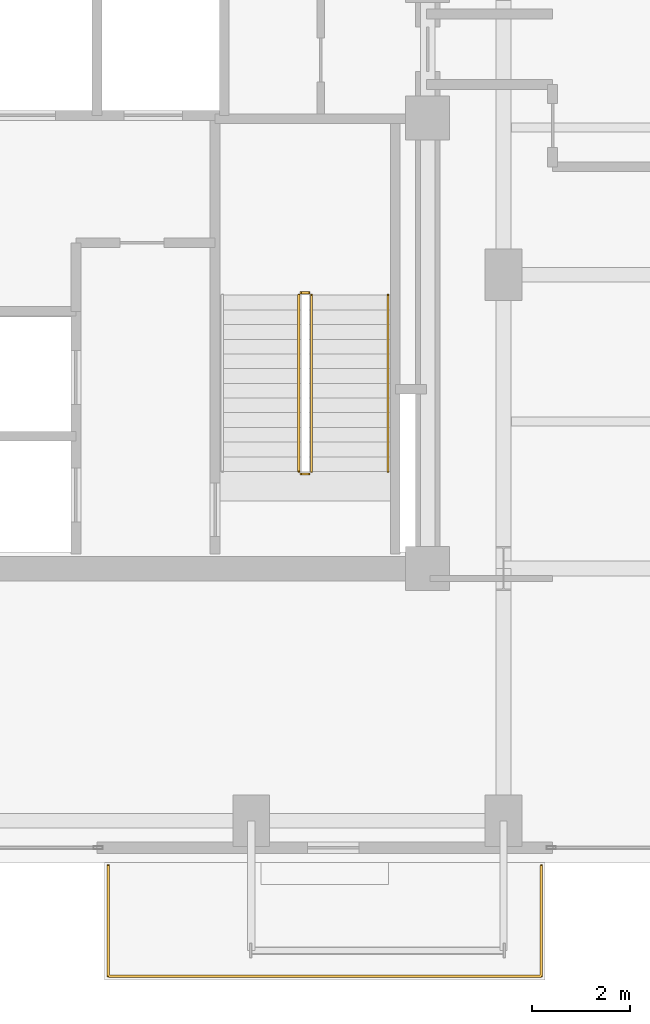
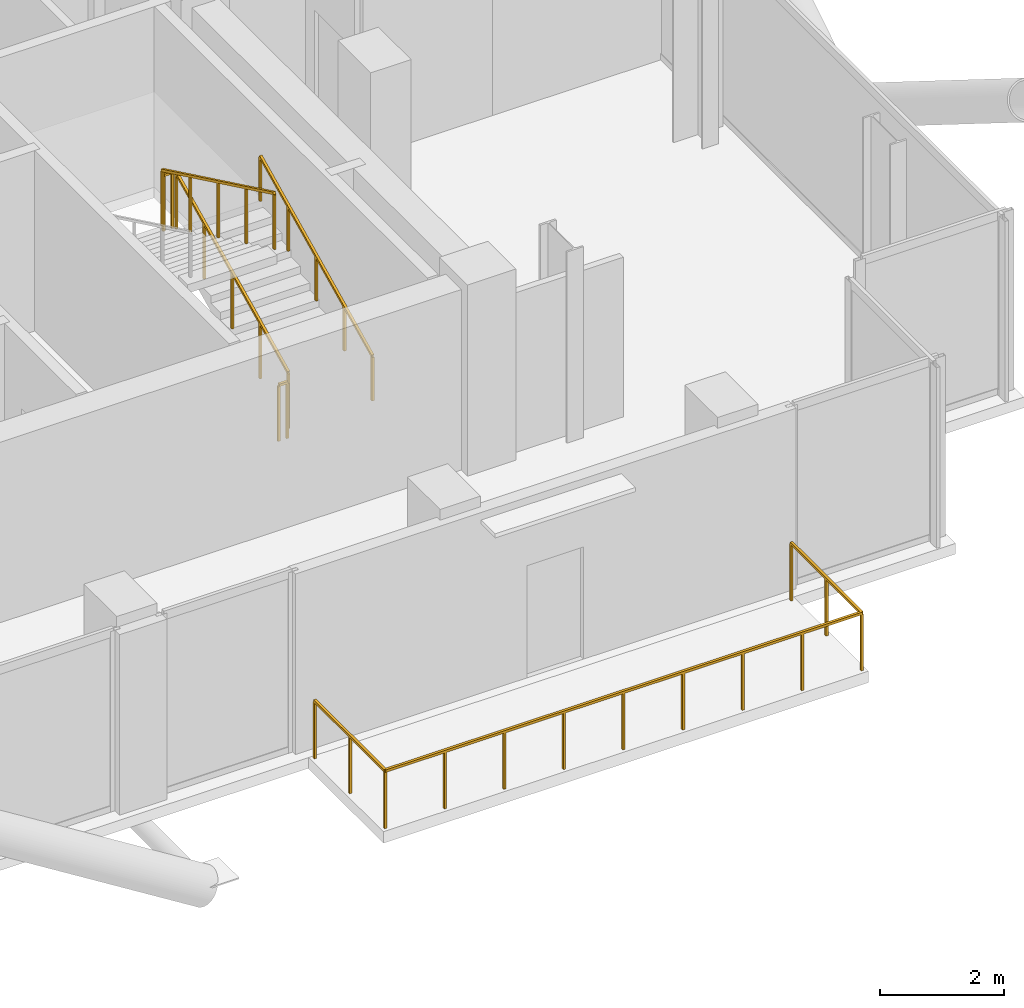
# One storey, part 25 of 25: 6 railings.
"""IFC4 building model written with IfcOpenShell, lengths in metres."""

from ifc_helpers import new_model, si_unit, direction, frame, origin, origin_2d, place, context, subcontext, project, spatial, rectangle, extrude, material, type_object, element, save


model = new_model("IFC4")

# Units and contexts
model_context = context("Model", 3, precision=1e-05, world=origin(), true_north=direction((0.0, 1.0)))
body_context = subcontext(model_context, "Body", "Model", "MODEL_VIEW")
ifc_project = project(units=[si_unit("LENGTHUNIT", "METRE"), si_unit("AREAUNIT", "SQUARE_METRE"), si_unit("VOLUMEUNIT", "CUBIC_METRE"), si_unit("PLANEANGLEUNIT", "RADIAN"), si_unit("MASSUNIT", "GRAM", prefix="KILO"), si_unit("THERMODYNAMICTEMPERATUREUNIT", "KELVIN"), si_unit("POWERUNIT", "WATT")], contexts=[model_context])

# Site, building, storey
site_placement = place(None, origin())
site = spatial("IfcSite", under=ifc_project, at=site_placement, CompositionType="ELEMENT")
building_placement = place(site_placement, origin())
building = spatial("IfcBuilding", under=site, at=building_placement, Name="Svarakhadi Broadcast Tower", CompositionType="ELEMENT")
storey_placement = place(building_placement, frame((0.0, 0.0, 216.14990234375)))
storey = spatial("IfcBuildingStorey", under=building, at=storey_placement, Name="L53", CompositionType="ELEMENT", Elevation=216.14990234375)

# Railings
ifc_material_1 = material(Name="Laminated Structural SentryGlas Balustrade 25.5 mm", Category="glass")
railing_type_1 = type_object("IfcRailingType", Name="Guard_Balcony_GR01", PredefinedType="BALUSTRADE", material=ifc_material_1)
railing_1_placement = place(storey_placement, frame((27.080078125, -0.06005859375, 0.0)))
element("IfcRailing", 1, at=railing_1_placement, inside=storey, type_object=railing_type_1, Name="L53 South Tree Balcony Guard GR-05", PredefinedType="BALUSTRADE", context=body_context, shape_type="SweptSolid", body=[
    extrude(rectangle(XDim=0.048095703125, YDim=0.048095703125, at=origin_2d()), frame((0.0, 0.0, 1.1259765625), z_axis=(0.0, -1.0, 0.0), x_axis=(1.0, 0.0, 0.0)), (0.0, 0.0, 1.0), 2.260009765625),
    extrude(rectangle(XDim=0.048095703125, YDim=0.048095703125, at=origin_2d()), frame((0.0, -2.260009765625, 1.1259765625), z_axis=(1.0, 0.0, 0.0), x_axis=(0.0, 1.0, 0.0)), (0.0, 0.0, 1.0), 8.83984375),
    extrude(rectangle(XDim=0.048095703125, YDim=0.048095703125, at=origin_2d()), frame((8.83984375, -2.260009765625, 1.1259765625), z_axis=(0.0, 1.0, 0.0), x_axis=(-1.0, 0.0, 0.0)), (0.0, 0.0, 1.0), 2.260009765625),
    extrude(rectangle(XDim=0.0419921875, YDim=0.0419921875, at=origin_2d()), origin(), (0.0, 0.0, 1.0), 1.101806640625),
    extrude(rectangle(XDim=0.0419921875, YDim=0.0419921875, at=origin_2d()), frame((0.0, -1.1298828125, 0.0)), (0.0, 0.0, 1.0), 1.101806640625),
    extrude(rectangle(XDim=0.0419921875, YDim=0.0419921875, at=origin_2d()), frame((0.0, -2.260009765625, 0.0)), (0.0, 0.0, 1.0), 1.101806640625),
    extrude(rectangle(XDim=0.0419921875, YDim=0.0419921875, at=origin_2d()), frame((1.10498046875, -2.260009765625, 0.0)), (0.0, 0.0, 1.0), 1.101806640625),
    extrude(rectangle(XDim=0.0419921875, YDim=0.0419921875, at=origin_2d()), frame((2.2099609375, -2.260009765625, 0.0)), (0.0, 0.0, 1.0), 1.101806640625),
    extrude(rectangle(XDim=0.0419921875, YDim=0.0419921875, at=origin_2d()), frame((3.31494140625, -2.260009765625, 0.0)), (0.0, 0.0, 1.0), 1.101806640625),
    extrude(rectangle(XDim=0.0419921875, YDim=0.0419921875, at=origin_2d()), frame((4.419921875, -2.260009765625, 0.0)), (0.0, 0.0, 1.0), 1.101806640625),
    extrude(rectangle(XDim=0.0419921875, YDim=0.0419921875, at=origin_2d()), frame((5.52490234375, -2.260009765625, 0.0)), (0.0, 0.0, 1.0), 1.101806640625),
    extrude(rectangle(XDim=0.0419921875, YDim=0.0419921875, at=origin_2d()), frame((6.6298828125, -2.260009765625, 0.0)), (0.0, 0.0, 1.0), 1.101806640625),
    extrude(rectangle(XDim=0.0419921875, YDim=0.0419921875, at=origin_2d()), frame((7.73486328125, -2.260009765625, 0.0)), (0.0, 0.0, 1.0), 1.101806640625),
    extrude(rectangle(XDim=0.0419921875, YDim=0.0419921875, at=origin_2d()), frame((8.83984375, -2.260009765625, 0.0)), (0.0, 0.0, 1.0), 1.101806640625),
    extrude(rectangle(XDim=0.0419921875, YDim=0.0419921875, at=origin_2d()), frame((8.83984375, -1.1298828125, 0.0)), (0.0, 0.0, 1.0), 1.101806640625),
    extrude(rectangle(XDim=0.0419921875, YDim=0.0419921875, at=origin_2d()), frame((8.83984375, 0.0, 0.0)), (0.0, 0.0, 1.0), 1.101806640625),
])
ifc_material_2 = material(Name="Anodised Bronze Aluminium AA 6063-T6", Category="aluminium")
railing_type_2 = type_object("IfcRailingType", Name="Guard_Stair_GR01", PredefinedType="GUARDRAIL", material=ifc_material_2)
railing_2_placement = place(storey_placement, frame((31.22998046875, 7.97998046875, 0.144287109375)))
element("IfcRailing", 2, at=railing_2_placement, inside=storey, type_object=railing_type_2, Name="L53 ST-02 stair guard 1", PredefinedType="GUARDRAIL", context=body_context, shape_type="SweptSolid", body=[
    extrude(rectangle(XDim=0.048095703125, YDim=0.048095703125, at=origin_2d()), frame((0.0, 0.0, 1.09619140625), z_axis=(0.0, 0.901262522062, 0.433273431364), x_axis=(-1.0, 0.0, 0.0)), (0.0, 0.0, 1.0), 3.994384765625),
    extrude(rectangle(XDim=0.0419921875, YDim=0.0419921875, at=origin_2d()), origin(), (0.0, 0.0, 1.0), 1.072021484375),
    extrude(rectangle(XDim=0.0419921875, YDim=0.0419921875, at=origin_2d()), frame((0.0, 0.89990234375, 0.4326171875)), (0.0, 0.0, 1.0), 1.072021484375),
    extrude(rectangle(XDim=0.0419921875, YDim=0.0419921875, at=origin_2d()), frame((0.0, 1.800048828125, 0.865234375)), (0.0, 0.0, 1.0), 1.072021484375),
    extrude(rectangle(XDim=0.0419921875, YDim=0.0419921875, at=origin_2d()), frame((0.0, 2.7001953125, 1.298095703125)), (0.0, 0.0, 1.0), 1.072021484375),
    extrude(rectangle(XDim=0.0419921875, YDim=0.0419921875, at=origin_2d()), frame((0.0, 3.60009765625, 1.730712890625)), (0.0, 0.0, 1.0), 1.072021484375),
])
railing_3_placement = place(storey_placement, frame((31.179931640625, 11.6298828125, 1.875)))
element("IfcRailing", 3, at=railing_3_placement, inside=storey, type_object=railing_type_2, Name="L53 ST-02 stair guard 2", PredefinedType="GUARDRAIL", context=body_context, shape_type="SweptSolid", body=[
    extrude(rectangle(XDim=0.048095703125, YDim=0.048095703125, at=origin_2d()), frame((0.0, 0.0, 1.09619140625), z_axis=(-1.0, 0.0, 0.0), x_axis=(0.0, -1.0, 0.0)), (0.0, 0.0, 1.0), 0.159912109375),
    extrude(rectangle(XDim=0.0419921875, YDim=0.0419921875, at=origin_2d()), origin(), (0.0, 0.0, 1.0), 1.072021484375),
    extrude(rectangle(XDim=0.0419921875, YDim=0.0419921875, at=origin_2d()), frame((-0.159912109375, 0.0, 0.0)), (0.0, 0.0, 1.0), 1.072021484375),
])
railing_4_placement = place(storey_placement, frame((30.969970703125, 11.580078125, 2.019287109375)))
element("IfcRailing", 4, at=railing_4_placement, inside=storey, type_object=railing_type_2, Name="L53 ST-02 stair guard 3", PredefinedType="GUARDRAIL", context=body_context, shape_type="SweptSolid", body=[
    extrude(rectangle(XDim=0.048095703125, YDim=0.048095703125, at=origin_2d()), frame((0.0, 0.0, 1.09619140625), z_axis=(0.0, -0.901262522062, 0.433273431364), x_axis=(1.0, 0.0, 0.0)), (0.0, 0.0, 1.0), 3.994384765625),
    extrude(rectangle(XDim=0.0419921875, YDim=0.0419921875, at=origin_2d()), origin(), (0.0, 0.0, 1.0), 1.072021484375),
    extrude(rectangle(XDim=0.0419921875, YDim=0.0419921875, at=origin_2d()), frame((0.0, -0.89990234375, 0.4326171875)), (0.0, 0.0, 1.0), 1.072021484375),
    extrude(rectangle(XDim=0.0419921875, YDim=0.0419921875, at=origin_2d()), frame((0.0, -1.800048828125, 0.865234375)), (0.0, 0.0, 1.0), 1.072021484375),
    extrude(rectangle(XDim=0.0419921875, YDim=0.0419921875, at=origin_2d()), frame((0.0, -2.7001953125, 1.298095703125)), (0.0, 0.0, 1.0), 1.072021484375),
    extrude(rectangle(XDim=0.0419921875, YDim=0.0419921875, at=origin_2d()), frame((0.0, -3.60009765625, 1.730712890625)), (0.0, 0.0, 1.0), 1.072021484375),
])
railing_5_placement = place(storey_placement, frame((31.179931640625, 7.929931640625, 0.0)))
element("IfcRailing", 5, at=railing_5_placement, inside=storey, type_object=railing_type_2, Name="L53 ST-02 stair guard 4", PredefinedType="GUARDRAIL", context=body_context, shape_type="SweptSolid", body=[
    extrude(rectangle(XDim=0.048095703125, YDim=0.048095703125, at=origin_2d()), frame((0.0, 0.0, 1.09619140625), z_axis=(-1.0, 0.0, 0.0), x_axis=(0.0, -1.0, 0.0)), (0.0, 0.0, 1.0), 0.159912109375),
    extrude(rectangle(XDim=0.0419921875, YDim=0.0419921875, at=origin_2d()), origin(), (0.0, 0.0, 1.0), 1.072021484375),
    extrude(rectangle(XDim=0.0419921875, YDim=0.0419921875, at=origin_2d()), frame((-0.159912109375, 0.0, 0.0)), (0.0, 0.0, 1.0), 1.072021484375),
])
railing_type_3 = type_object("IfcRailingType", Name="Handrail_Stair_HR01", PredefinedType="HANDRAIL", material=ifc_material_2)
railing_6_placement = place(storey_placement, frame((32.7900390625, 7.97998046875, 0.144287109375)))
element("IfcRailing", 6, at=railing_6_placement, inside=storey, type_object=railing_type_3, Name="L53 ST-02 stair handrail 1", PredefinedType="HANDRAIL", context=body_context, shape_type="SweptSolid", body=[
    extrude(rectangle(XDim=0.048095703125, YDim=0.048095703125, at=origin_2d()), frame((0.0, 0.0, 0.8759765625), z_axis=(0.0, 0.901262522062, 0.433273431364), x_axis=(-1.0, 0.0, 0.0)), (0.0, 0.0, 1.0), 3.994384765625),
    extrude(rectangle(XDim=0.0419921875, YDim=0.0419921875, at=origin_2d()), origin(), (0.0, 0.0, 1.0), 0.851806640625),
    extrude(rectangle(XDim=0.0419921875, YDim=0.0419921875, at=origin_2d()), frame((0.0, 0.89990234375, 0.4326171875)), (0.0, 0.0, 1.0), 0.851806640625),
    extrude(rectangle(XDim=0.0419921875, YDim=0.0419921875, at=origin_2d()), frame((0.0, 1.800048828125, 0.865234375)), (0.0, 0.0, 1.0), 0.851806640625),
    extrude(rectangle(XDim=0.0419921875, YDim=0.0419921875, at=origin_2d()), frame((0.0, 2.7001953125, 1.298095703125)), (0.0, 0.0, 1.0), 0.851806640625),
    extrude(rectangle(XDim=0.0419921875, YDim=0.0419921875, at=origin_2d()), frame((0.0, 3.60009765625, 1.730712890625)), (0.0, 0.0, 1.0), 0.851806640625),
])

save(model, "model.ifc")
